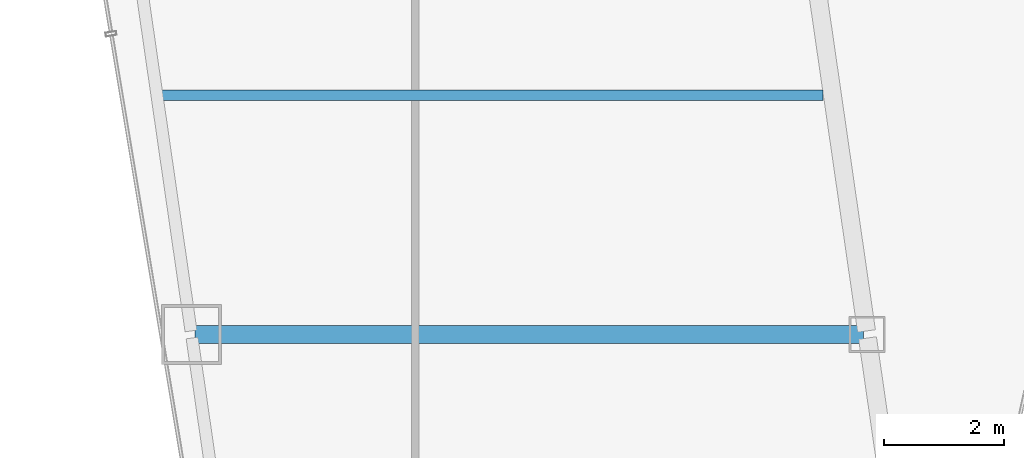
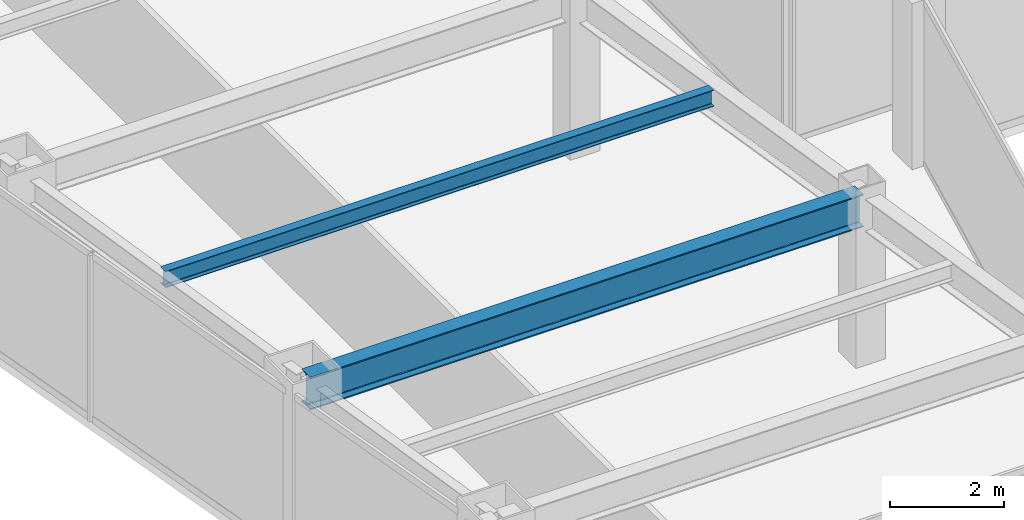
# One storey, part 4 of 36: 2 beams.
"""IFC4 building model written with IfcOpenShell, lengths in metres."""

from ifc_helpers import new_model, si_unit, direction, frame, origin, origin_2d, place, context, subcontext, project, spatial, i_section, extrude, material, material_profile, profile_set, type_object, element, save


model = new_model("IFC4")

# Units and contexts
model_context = context("Model", 3, precision=1e-05, world=origin(), true_north=direction((0.0, 1.0)))
body_context = subcontext(model_context, "Body", "Model", "MODEL_VIEW")
ifc_project = project(units=[si_unit("LENGTHUNIT", "METRE"), si_unit("AREAUNIT", "SQUARE_METRE"), si_unit("VOLUMEUNIT", "CUBIC_METRE"), si_unit("PLANEANGLEUNIT", "RADIAN"), si_unit("MASSUNIT", "GRAM", prefix="KILO")], contexts=[model_context])

# Site, building, storey
site_placement = place(None, origin())
site = spatial("IfcSite", under=ifc_project, at=site_placement, CompositionType="ELEMENT")
building_placement = place(site_placement, origin())
building = spatial("IfcBuilding", under=site, at=building_placement, Name="Saevonmaru Cultural Tower", CompositionType="ELEMENT")
storey_placement = place(building_placement, frame((0.0, 0.0, 156.199951171875)))
storey = spatial("IfcBuildingStorey", under=building, at=storey_placement, Name="L34", CompositionType="ELEMENT", Elevation=156.199951171875)

# Beams
ifc_material = material(Name="Steel SM355", Category="steel")
ifc_material_profile_1 = material_profile(ifc_material, i_section(OverallWidth=0.300048828125, OverallDepth=0.699951171875, WebThickness=0.012939453125, FlangeThickness=0.02392578125, FilletRadius=0.02587890625, at=origin_2d()), Name="H-700x300x13x24")
ifc_profile_set_1 = profile_set([ifc_material_profile_1], Name="Steel SM355")
beam_type_1 = type_object("IfcBeamType", Name="BM-G-H700", PredefinedType="BEAM", material=ifc_profile_set_1)
beam_1_placement = place(storey_placement, frame((10.68798828125, 16.0, 3.199951171875), z_axis=(1.0, 0.0, 0.0), x_axis=(0.0, 1.0, 0.0)))
element("IfcBeam", 1, at=beam_1_placement, inside=storey, type_object=beam_type_1, Name="L34 West Wing Transverse Girder 2", PredefinedType="BEAM", context=body_context, shape_type="SweptSolid", body=[
    extrude(i_section(OverallWidth=0.300048828125, OverallDepth=0.699951171875, WebThickness=0.012939453125, FlangeThickness=0.02392578125, FilletRadius=0.02587890625, at=origin_2d()), origin(), (0.0, 0.0, 1.0), 11.179931640625),
])
ifc_material_profile_2 = material_profile(ifc_material, i_section(OverallWidth=0.175048828125, OverallDepth=0.35009765625, WebThickness=0.007080078125, FlangeThickness=0.010986328125, FilletRadius=0.012939453125, at=origin_2d()), Name="H-350x175x7x11")
ifc_profile_set_2 = profile_set([ifc_material_profile_2], Name="Steel SM355")
beam_type_2 = type_object("IfcBeamType", Name="BM-J-H350", PredefinedType="JOIST", material=ifc_profile_set_2)
beam_2_placement = place(storey_placement, frame((10.110107421875, 20.0, 3.375), z_axis=(1.0, 0.0, 0.0), x_axis=(0.0, 1.0, 0.0)))
element("IfcBeam", 2, at=beam_2_placement, inside=storey, type_object=beam_type_2, Name="L34 West Wing Floor Joist 2", PredefinedType="JOIST", context=body_context, shape_type="SweptSolid", body=[
    extrude(i_section(OverallWidth=0.175048828125, OverallDepth=0.35009765625, WebThickness=0.007080078125, FlangeThickness=0.010986328125, FilletRadius=0.012939453125, at=origin_2d()), origin(), (0.0, 0.0, 1.0), 11.081787109375),
])

save(model, "model.ifc")
